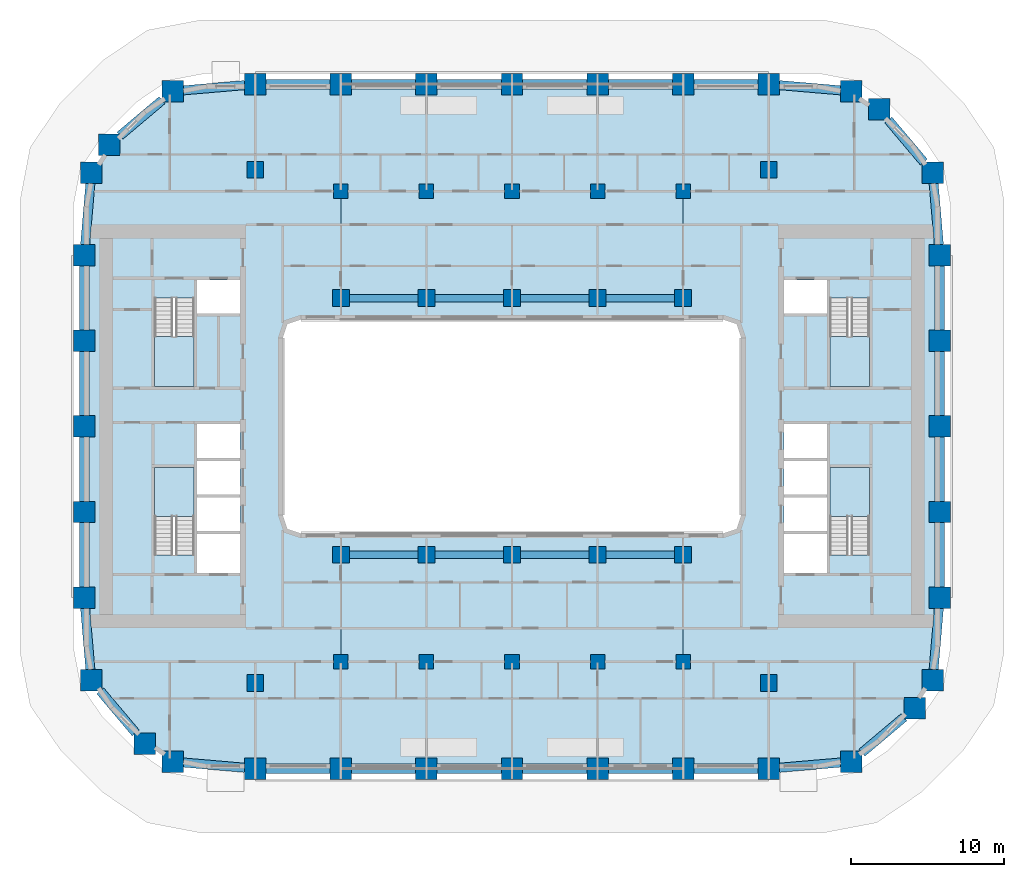
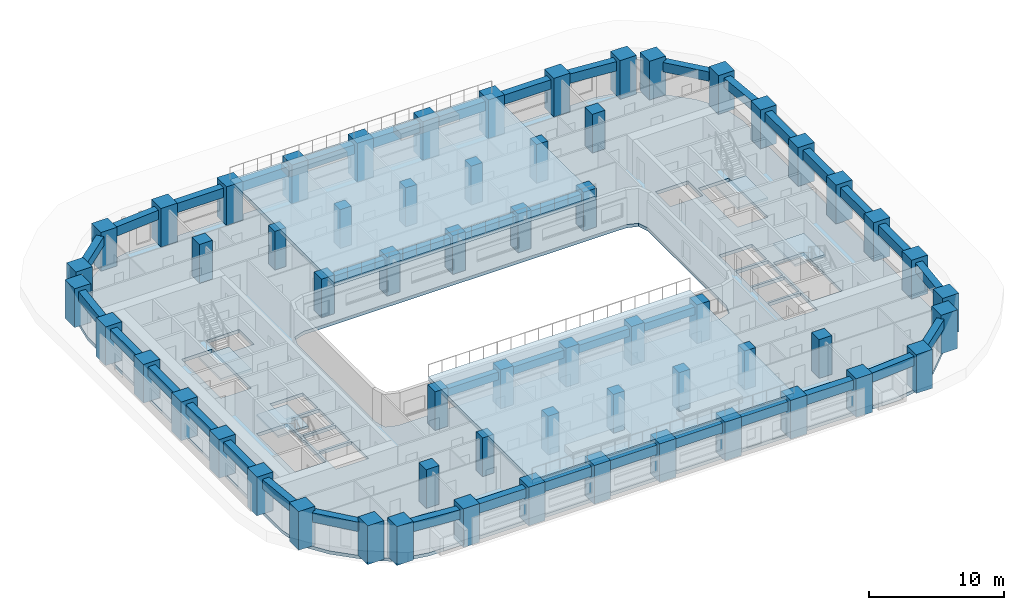
# One storey, part 1 of 18: 60 columns, 40 beams, 7 slabs, 4 elements without a shape of their own.
"""IFC4 building model written with IfcOpenShell, lengths in metres."""

import ifcopenshell
import ifcopenshell.guid

model = None  # the IFC model being written
_history = None  # IfcOwnerHistory: only IFC2X3 demands one
_inside = {}  # id of a spatial element -> (the spatial element, [elements in it])
_under = {}  # id of a project, library or spatial element -> (it, [spatial elements below it])
_declared = {}  # id of a project -> (the project, [libraries it declares])
_typed = {}  # id of a type object -> (the type object, [elements of that type])
_made_of = {}  # id of a material, layer set ... -> (it, [elements and type objects made of it])


def new_model(schema):
    """Start an empty IFC model of exactly this schema.

    Asked for "IFC4X3", IfcOpenShell would pick the latest addendum, in which some entities
    have other attributes; the version numbers below select the first issue.
    IFC2X3 requires an IfcOwnerHistory on every rooted entity: one is made here for all.
    """
    global model, _history
    if schema == "IFC4X3":
        model = ifcopenshell.file(schema_version=(4, 3, 0, 0))
    else:
        model = ifcopenshell.file(schema=schema)
    _inside.clear()
    _under.clear()
    _declared.clear()
    _typed.clear()
    _made_of.clear()
    _history = None
    if model.schema == "IFC2X3":
        org = make("IfcOrganization", Name="unknown")
        user = make(
            "IfcPersonAndOrganization",
            ThePerson=make("IfcPerson", FamilyName="unknown"),
            TheOrganization=org,
        )
        app = make(
            "IfcApplication",
            ApplicationDeveloper=org,
            Version="unknown",
            ApplicationFullName="unknown",
            ApplicationIdentifier="unknown",
        )
        _history = make(
            "IfcOwnerHistory",
            OwningUser=user,
            OwningApplication=app,
            ChangeAction="ADDED",
            CreationDate=0,
        )
    return model


def make(cls, **values):
    """One entity of the class cls with the attributes given. An attribute that is None is left unset."""
    return model.create_entity(
        cls, **{name: value for name, value in values.items() if value is not None}
    )


def rooted(cls, **values):
    """An entity with a GlobalId (a new one), such as an element, a storey or a relation."""
    return make(cls, GlobalId=ifcopenshell.guid.new(), OwnerHistory=_history, **values)


def si_unit(unit_type, name, prefix=None):
    """IfcSIUnit, for example si_unit("LENGTHUNIT", "METRE", prefix="MILLI")."""
    return make("IfcSIUnit", UnitType=unit_type, Prefix=prefix, Name=name)


def assignment(units):
    """IfcUnitAssignment: the units of a project."""
    return None if units is None else make("IfcUnitAssignment", Units=units)


def point(xyz):
    """IfcCartesianPoint."""
    return None if xyz is None else make("IfcCartesianPoint", Coordinates=xyz)


def direction(xyz):
    """IfcDirection."""
    return None if xyz is None else make("IfcDirection", DirectionRatios=xyz)


def frame(location, z_axis=None, x_axis=None):
    """IfcAxis2Placement3D, a coordinate frame: its origin and axes. An axis left out is left unset."""
    return make(
        "IfcAxis2Placement3D",
        Location=point(location),
        Axis=direction(z_axis),
        RefDirection=direction(x_axis),
    )


def frame_2d(location, x_axis=None):
    """IfcAxis2Placement2D, a coordinate frame in the plane: its origin and x axis."""
    return make(
        "IfcAxis2Placement2D", Location=point(location), RefDirection=direction(x_axis)
    )


def origin():
    """The frame at (0, 0, 0) with its axes left unset."""
    return frame((0.0, 0.0, 0.0))


def origin_2d():
    """The frame at (0, 0) in the plane with its x axis left unset."""
    return frame_2d((0.0, 0.0))


def place(relative_to, where):
    """IfcLocalPlacement: puts the frame where relative to a parent placement (None: the world)."""
    return make(
        "IfcLocalPlacement", PlacementRelTo=relative_to, RelativePlacement=where
    )


def context(
    kind, dimensions, precision=None, world=None, true_north=None, identifier=None
):
    """IfcGeometricRepresentationContext, for example the 3D "Model" context."""
    return make(
        "IfcGeometricRepresentationContext",
        ContextIdentifier=identifier,
        ContextType=kind,
        CoordinateSpaceDimension=dimensions,
        Precision=precision,
        WorldCoordinateSystem=world,
        TrueNorth=true_north,
    )


def subcontext(parent, identifier, kind, view, scale=None):
    """IfcGeometricRepresentationSubContext, for example "Body" below "Model"."""
    return make(
        "IfcGeometricRepresentationSubContext",
        ContextIdentifier=identifier,
        ContextType=kind,
        ParentContext=parent,
        TargetScale=scale,
        TargetView=view,
    )


def project(units=None, contexts=None):
    """IfcProject with its units and contexts."""
    return rooted(
        "IfcProject",
        Name="project",
        RepresentationContexts=contexts,
        UnitsInContext=assignment(units),
    )


def spatial(cls, under=None, at=None, **own):
    """A site, building, storey or space (cls), placed at a placement, below another one or the project."""
    s = rooted(cls, ObjectPlacement=at, **own)
    if under is not None:
        _under.setdefault(under.id(), (under, []))[1].append(s)
    return s


def polyline(points):
    """IfcPolyline through the points."""
    return make("IfcPolyline", Points=[point(p) for p in points])


def profile(cls, at=None, kind="AREA", **sizes):
    """A parametric profile (cls). Its sizes go by their IFC names, for example OverallWidth=200.0."""
    return make(cls, ProfileType=kind, Position=at, **sizes)


def rectangle(**sizes):
    """IfcRectangleProfileDef."""
    return profile("IfcRectangleProfileDef", **sizes)


def outline(outer, holes=None, kind="AREA"):
    """IfcArbitraryClosedProfileDef: a profile drawn as a closed curve; with holes, ...WithVoids."""
    if holes is None:
        return make("IfcArbitraryClosedProfileDef", ProfileType=kind, OuterCurve=outer)
    return make(
        "IfcArbitraryProfileDefWithVoids",
        ProfileType=kind,
        OuterCurve=outer,
        InnerCurves=holes,
    )


def extrude(swept, where, along, depth):
    """IfcExtrudedAreaSolid: the profile swept, set in the frame where, extruded along a direction by depth."""
    return make(
        "IfcExtrudedAreaSolid",
        SweptArea=swept,
        Position=where,
        ExtrudedDirection=direction(along),
        Depth=depth,
    )


def shape(context_of_items, identifier, shape_type, items):
    """IfcShapeRepresentation: the items that make up one representation, for example the "Body"."""
    return make(
        "IfcShapeRepresentation",
        ContextOfItems=context_of_items,
        RepresentationIdentifier=identifier,
        RepresentationType=shape_type,
        Items=items,
    )


def material(Name=None, Category=None):
    """IfcMaterial."""
    return make("IfcMaterial", Name=Name, Category=Category)


def layer(
    of_material, thickness, ventilated=None, Name=None, Category=None, Priority=None
):
    """IfcMaterialLayer: one layer of a wall or slab, of a material (None: an air gap)."""
    return make(
        "IfcMaterialLayer",
        Material=of_material,
        LayerThickness=thickness,
        IsVentilated=ventilated,
        Name=Name,
        Category=Category,
        Priority=Priority,
    )


def layer_set(layers, Name=None):
    """IfcMaterialLayerSet."""
    return make("IfcMaterialLayerSet", MaterialLayers=layers, LayerSetName=Name)


def material_profile(
    of_material, cross_section, Name=None, Category=None, Priority=None
):
    """IfcMaterialProfile: a cross section and its material."""
    return make(
        "IfcMaterialProfile",
        Name=Name,
        Material=of_material,
        Profile=cross_section,
        Priority=Priority,
        Category=Category,
    )


def profile_set(profiles, Name=None, composite=None):
    """IfcMaterialProfileSet."""
    return make(
        "IfcMaterialProfileSet",
        Name=Name,
        MaterialProfiles=profiles,
        CompositeProfile=composite,
    )


def made_of(thing, what):
    """Note that an element or type object is made of a material, layer set ...; save() writes the relation."""
    if what is not None:
        _made_of.setdefault(what.id(), (what, []))[1].append(thing)
    return thing


def type_object(cls, material=None, **own):
    """A type object (cls), such as IfcWallType, which elements share."""
    return made_of(rooted(cls, **own), material)


def element(
    cls,
    number,
    at=None,
    inside=None,
    cuts=None,
    type_object=None,
    material=None,
    context=None,
    identifier="Body",
    shape_type=None,
    held_by="IfcProductDefinitionShape",
    body=None,
    shapes=None,
    **own,
):
    """One element of the class cls, such as IfcWall. Its Tag is "e" and its number.

    at: its placement. inside: the storey or other place that contains it. cuts: it is an
    opening in that element (IfcRelVoidsElement). A single representation is given by context,
    identifier, shape_type and body (its items); several are given by shapes. held_by: the class
    of the entity that holds the representations. save() writes the other relations.
    """
    e = rooted(cls, Tag="e%d" % number, ObjectPlacement=at, **own)
    if body is not None:
        shapes = [shape(context, identifier, shape_type, body)]
    if shapes is not None:
        e.Representation = make(held_by, Representations=shapes)
    if inside is not None:
        _inside.setdefault(inside.id(), (inside, []))[1].append(e)
    if cuts is not None:
        rooted(
            "IfcRelVoidsElement", RelatingBuildingElement=cuts, RelatedOpeningElement=e
        )
    if type_object is not None:
        _typed.setdefault(type_object.id(), (type_object, []))[1].append(e)
    return made_of(e, material)


def aggregate(whole, parts):
    """IfcRelAggregates: a whole, such as a stair, and the parts it consists of."""
    return rooted("IfcRelAggregates", RelatingObject=whole, RelatedObjects=parts)


def save(model, path):
    """Write the relations noted so far, then the file.

    IfcRelAggregates (storeys below a building ...), IfcRelContainedInSpatialStructure (elements
    in a storey), IfcRelDefinesByType, IfcRelAssociatesMaterial and IfcRelDeclares: one each for
    every whole, place, type object, material and project.
    """
    for whole, parts in _under.values():
        aggregate(whole, parts)
    for where, things in _inside.values():
        rooted(
            "IfcRelContainedInSpatialStructure",
            RelatedElements=things,
            RelatingStructure=where,
        )
    for kind, things in _typed.values():
        rooted("IfcRelDefinesByType", RelatedObjects=things, RelatingType=kind)
    for what, things in _made_of.values():
        rooted("IfcRelAssociatesMaterial", RelatedObjects=things, RelatingMaterial=what)
    for by, libraries in _declared.values():
        rooted("IfcRelDeclares", RelatingContext=by, RelatedDefinitions=libraries)
    model.write(path)


model = new_model("IFC4")

# Units and contexts
model_context = context("Model", 3, precision=1e-05, world=origin(), true_north=direction((0.0, 1.0)))
body_context = subcontext(model_context, "Body", "Model", "MODEL_VIEW")
ifc_project = project(units=[si_unit("LENGTHUNIT", "METRE"), si_unit("AREAUNIT", "SQUARE_METRE"), si_unit("VOLUMEUNIT", "CUBIC_METRE"), si_unit("PLANEANGLEUNIT", "RADIAN"), si_unit("MASSUNIT", "GRAM", prefix="KILO")], contexts=[model_context])

# Site, building, storey
site_placement = place(None, origin())
site = spatial("IfcSite", under=ifc_project, at=site_placement, CompositionType="ELEMENT")
building_placement = place(site_placement, origin())
building = spatial("IfcBuilding", under=site, at=building_placement, Name="Kiln Ring Residences", CompositionType="ELEMENT")
storey_placement = place(building_placement, frame((0.0, 0.0, 69.0)))
storey = spatial("IfcBuildingStorey", under=building, at=storey_placement, Name="L17", CompositionType="ELEMENT", Elevation=69.0)

# Columns
ifc_material_1 = material(Name="Concrete C80/95", Category="concrete")
ifc_material_profile_1 = material_profile(ifc_material_1, rectangle(XDim=0.949951171875, YDim=0.949951171875, at=origin_2d()), Name="RC950x950")
ifc_profile_set_1 = profile_set([ifc_material_profile_1], Name="Concrete C80/95")
column_type_1 = type_object("IfcColumnType", Name="Corridor column RC950x950 C80/95", PredefinedType="COLUMN", material=ifc_profile_set_1)
for number, where, z_axis, x_axis, name in (
    (1, (-11.199951171875, 15.39990234375, 0.0), (0.0, 0.0, 1.0), (1.0, 0.0, 0.0), "Corridor column L17 1"),
    (2, (-5.60009765625, 15.39990234375, 0.0), (0.0, 0.0, 1.0), (1.0, 0.0, 0.0), "Corridor column L17 2"),
    (3, (0.0, 15.39990234375, 0.0), (0.0, 0.0, 1.0), (1.0, 0.0, 0.0), "Corridor column L17 3"),
    (4, (5.60009765625, 15.39990234375, 0.0), (0.0, 0.0, 1.0), (1.0, 0.0, 0.0), "Corridor column L17 4"),
    (5, (11.199951171875, 15.39990234375, 0.0), (0.0, 0.0, 1.0), (1.0, 0.0, 0.0), "Corridor column L17 5"),
    (6, (-11.199951171875, -15.39990234375, 0.0), (0.0, 0.0, 1.0), (1.0, 0.0, 0.0), "Corridor column L17 6"),
    (7, (-5.60009765625, -15.39990234375, 0.0), (0.0, 0.0, 1.0), (1.0, 0.0, 0.0), "Corridor column L17 7"),
    (8, (0.0, -15.39990234375, 0.0), (0.0, 0.0, 1.0), (1.0, 0.0, 0.0), "Corridor column L17 8"),
    (9, (5.60009765625, -15.39990234375, 0.0), (0.0, 0.0, 1.0), (1.0, 0.0, 0.0), "Corridor column L17 9"),
    (10, (11.199951171875, -15.39990234375, 0.0), (0.0, 0.0, 1.0), (1.0, 0.0, 0.0), "Corridor column L17 10"),
):
    element("IfcColumn", number, at=place(storey_placement, frame(where, z_axis=z_axis, x_axis=x_axis)), inside=storey, type_object=column_type_1, Name=name, PredefinedType="COLUMN", context=body_context, shape_type="SweptSolid", body=[
        extrude(rectangle(XDim=0.949951171875, YDim=0.949951171875, at=origin_2d()), origin(), (0.0, 0.0, 1.0), 3.5),
    ])
ifc_material_2 = material(Name="Concrete C80/95", Category="concrete")
ifc_material_profile_2 = material_profile(ifc_material_2, rectangle(XDim=1.39990234375, YDim=1.39990234375, at=origin_2d()), Name="RC1400x1400")
ifc_profile_set_2 = profile_set([ifc_material_profile_2], Name="Concrete C80/95")
column_type_2 = type_object("IfcColumnType", Name="Perimeter column RC1400x1400 C80/95", PredefinedType="COLUMN", material=ifc_profile_set_2)
for number, where, z_axis, x_axis, name in (
    (11, (-22.208740234375, -21.93798828125, 0.0), (0.0, 0.0, 1.0), (1.0, 0.0, 0.0), "Perimeter column L17 1"),
    (12, (-16.800048828125, -22.39990234375, 0.0), (0.0, 0.0, 1.0), (1.0, 0.0, 0.0), "Perimeter column L17 2"),
    (13, (-11.199951171875, -22.39990234375, 0.0), (0.0, 0.0, 1.0), (1.0, 0.0, 0.0), "Perimeter column L17 3"),
    (14, (-5.60009765625, -22.39990234375, 0.0), (0.0, 0.0, 1.0), (1.0, 0.0, 0.0), "Perimeter column L17 4"),
    (15, (0.0, -22.39990234375, 0.0), (0.0, 0.0, 1.0), (1.0, 0.0, 0.0), "Perimeter column L17 5"),
    (16, (5.60009765625, -22.39990234375, 0.0), (0.0, 0.0, 1.0), (1.0, 0.0, 0.0), "Perimeter column L17 6"),
    (17, (11.199951171875, -22.39990234375, 0.0), (0.0, 0.0, 1.0), (1.0, 0.0, 0.0), "Perimeter column L17 7"),
    (18, (16.800048828125, -22.39990234375, 0.0), (0.0, 0.0, 1.0), (1.0, 0.0, 0.0), "Perimeter column L17 8"),
    (19, (22.208740234375, -21.93798828125, 0.0), (0.0, 0.0, 1.0), (1.0, 0.0, 0.0), "Perimeter column L17 9"),
    (20, (26.35986328125, -18.440185546875, 0.0), (0.0, 0.0, 1.0), (1.0, 0.0, 0.0), "Perimeter column L17 10"),
    (21, (27.5380859375, -16.608642578125, 0.0), (0.0, 0.0, 1.0), (1.0, 0.0, 0.0), "Perimeter column L17 11"),
    (22, (28.0, -11.199951171875, 0.0), (0.0, 0.0, 1.0), (1.0, 0.0, 0.0), "Perimeter column L17 12"),
    (23, (28.0, -5.60009765625, 0.0), (0.0, 0.0, 1.0), (1.0, 0.0, 0.0), "Perimeter column L17 13"),
    (24, (28.0, 0.0, 0.0), (0.0, 0.0, 1.0), (1.0, 0.0, 0.0), "Perimeter column L17 14"),
    (25, (28.0, 5.60009765625, 0.0), (0.0, 0.0, 1.0), (1.0, 0.0, 0.0), "Perimeter column L17 15"),
    (26, (28.0, 11.199951171875, 0.0), (0.0, 0.0, 1.0), (1.0, 0.0, 0.0), "Perimeter column L17 16"),
    (27, (27.5380859375, 16.608642578125, 0.0), (0.0, 0.0, 1.0), (1.0, 0.0, 0.0), "Perimeter column L17 17"),
    (28, (24.040283203125, 20.759765625, 0.0), (0.0, 0.0, 1.0), (1.0, 0.0, 0.0), "Perimeter column L17 18"),
    (29, (22.208740234375, 21.93798828125, 0.0), (0.0, 0.0, 1.0), (1.0, 0.0, 0.0), "Perimeter column L17 19"),
    (30, (16.800048828125, 22.39990234375, 0.0), (0.0, 0.0, 1.0), (1.0, 0.0, 0.0), "Perimeter column L17 20"),
    (31, (11.199951171875, 22.39990234375, 0.0), (0.0, 0.0, 1.0), (1.0, 0.0, 0.0), "Perimeter column L17 21"),
    (32, (5.60009765625, 22.39990234375, 0.0), (0.0, 0.0, 1.0), (1.0, 0.0, 0.0), "Perimeter column L17 22"),
    (33, (0.0, 22.39990234375, 0.0), (0.0, 0.0, 1.0), (1.0, 0.0, 0.0), "Perimeter column L17 23"),
    (34, (-5.60009765625, 22.39990234375, 0.0), (0.0, 0.0, 1.0), (1.0, 0.0, 0.0), "Perimeter column L17 24"),
    (35, (-11.199951171875, 22.39990234375, 0.0), (0.0, 0.0, 1.0), (1.0, 0.0, 0.0), "Perimeter column L17 25"),
    (36, (-16.800048828125, 22.39990234375, 0.0), (0.0, 0.0, 1.0), (1.0, 0.0, 0.0), "Perimeter column L17 26"),
    (37, (-22.208740234375, 21.93798828125, 0.0), (0.0, 0.0, 1.0), (1.0, 0.0, 0.0), "Perimeter column L17 27"),
    (38, (-26.35986328125, 18.440185546875, 0.0), (0.0, 0.0, 1.0), (1.0, 0.0, 0.0), "Perimeter column L17 28"),
    (39, (-27.5380859375, 16.608642578125, 0.0), (0.0, 0.0, 1.0), (1.0, 0.0, 0.0), "Perimeter column L17 29"),
    (40, (-28.0, 11.199951171875, 0.0), (0.0, 0.0, 1.0), (1.0, 0.0, 0.0), "Perimeter column L17 30"),
    (41, (-28.0, 5.60009765625, 0.0), (0.0, 0.0, 1.0), (1.0, 0.0, 0.0), "Perimeter column L17 31"),
    (42, (-28.0, 0.0, 0.0), (0.0, 0.0, 1.0), (1.0, 0.0, 0.0), "Perimeter column L17 32"),
    (43, (-28.0, -5.60009765625, 0.0), (0.0, 0.0, 1.0), (1.0, 0.0, 0.0), "Perimeter column L17 33"),
    (44, (-28.0, -11.199951171875, 0.0), (0.0, 0.0, 1.0), (1.0, 0.0, 0.0), "Perimeter column L17 34"),
    (45, (-27.5380859375, -16.608642578125, 0.0), (0.0, 0.0, 1.0), (1.0, 0.0, 0.0), "Perimeter column L17 35"),
    (46, (-24.040283203125, -20.759765625, 0.0), (0.0, 0.0, 1.0), (1.0, 0.0, 0.0), "Perimeter column L17 36"),
):
    element("IfcColumn", number, at=place(storey_placement, frame(where, z_axis=z_axis, x_axis=x_axis)), inside=storey, type_object=column_type_2, Name=name, PredefinedType="COLUMN", context=body_context, shape_type="SweptSolid", body=[
        extrude(rectangle(XDim=1.39990234375, YDim=1.39990234375, at=origin_2d()), origin(), (0.0, 0.0, 1.0), 3.5),
    ])
ifc_material_3 = material(Name="Concrete C80/95", Category="concrete")
ifc_material_profile_3 = material_profile(ifc_material_3, rectangle(XDim=1.10009765625, YDim=1.10009765625, at=origin_2d()), Name="RC1100x1100")
ifc_profile_set_3 = profile_set([ifc_material_profile_3], Name="Concrete C80/95")
column_type_3 = type_object("IfcColumnType", Name="Ring column RC1100x1100 C80/95", PredefinedType="COLUMN", material=ifc_profile_set_3)
for number, where, z_axis, x_axis, name in (
    (47, (-16.800048828125, -16.800048828125, 0.0), (0.0, 0.0, 1.0), (1.0, 0.0, 0.0), "Ring column L17 1"),
    (48, (-16.800048828125, 16.800048828125, 0.0), (0.0, 0.0, 1.0), (1.0, 0.0, 0.0), "Ring column L17 2"),
    (49, (-11.199951171875, -8.39990234375, 0.0), (0.0, 0.0, 1.0), (1.0, 0.0, 0.0), "Ring column L17 3"),
    (50, (-11.199951171875, 8.39990234375, 0.0), (0.0, 0.0, 1.0), (1.0, 0.0, 0.0), "Ring column L17 4"),
    (51, (-5.60009765625, -8.39990234375, 0.0), (0.0, 0.0, 1.0), (1.0, 0.0, 0.0), "Ring column L17 5"),
    (52, (-5.60009765625, 8.39990234375, 0.0), (0.0, 0.0, 1.0), (1.0, 0.0, 0.0), "Ring column L17 6"),
    (53, (0.0, -8.39990234375, 0.0), (0.0, 0.0, 1.0), (1.0, 0.0, 0.0), "Ring column L17 7"),
    (54, (0.0, 8.39990234375, 0.0), (0.0, 0.0, 1.0), (1.0, 0.0, 0.0), "Ring column L17 8"),
    (55, (5.60009765625, -8.39990234375, 0.0), (0.0, 0.0, 1.0), (1.0, 0.0, 0.0), "Ring column L17 9"),
    (56, (5.60009765625, 8.39990234375, 0.0), (0.0, 0.0, 1.0), (1.0, 0.0, 0.0), "Ring column L17 10"),
    (57, (11.199951171875, -8.39990234375, 0.0), (0.0, 0.0, 1.0), (1.0, 0.0, 0.0), "Ring column L17 11"),
    (58, (11.199951171875, 8.39990234375, 0.0), (0.0, 0.0, 1.0), (1.0, 0.0, 0.0), "Ring column L17 12"),
    (59, (16.800048828125, -16.800048828125, 0.0), (0.0, 0.0, 1.0), (1.0, 0.0, 0.0), "Ring column L17 13"),
    (60, (16.800048828125, 16.800048828125, 0.0), (0.0, 0.0, 1.0), (1.0, 0.0, 0.0), "Ring column L17 14"),
):
    element("IfcColumn", number, at=place(storey_placement, frame(where, z_axis=z_axis, x_axis=x_axis)), inside=storey, type_object=column_type_3, Name=name, PredefinedType="COLUMN", context=body_context, shape_type="SweptSolid", body=[
        extrude(rectangle(XDim=1.10009765625, YDim=1.10009765625, at=origin_2d()), origin(), (0.0, 0.0, 1.0), 3.5),
    ])

# Beams
ifc_material_4 = material(Name="Concrete C50/60", Category="concrete")
ifc_material_profile_4 = material_profile(ifc_material_4, rectangle(XDim=0.5, YDim=0.699951171875, at=origin_2d()), Name="RC500x700")
ifc_profile_set_4 = profile_set([ifc_material_profile_4], Name="Concrete C50/60")
beam_type_1 = type_object("IfcBeamType", Name="Ring beam RC500x700 C50/60", PredefinedType="BEAM", material=ifc_profile_set_4)
for number, where, z_axis, x_axis, name in (
    (61, (-10.64990234375, -8.39990234375, 2.800048828125), (1.0, 0.0, 0.0), (0.0, 1.0, 0.0), "Ring beam L17 1"),
    (62, (-5.050048828125, -8.39990234375, 2.800048828125), (1.0, 0.0, 0.0), (0.0, 1.0, 0.0), "Ring beam L17 2"),
    (63, (0.550048828125, -8.39990234375, 2.800048828125), (1.0, 0.0, 0.0), (0.0, 1.0, 0.0), "Ring beam L17 3"),
    (64, (6.14990234375, -8.39990234375, 2.800048828125), (1.0, 0.0, 0.0), (0.0, 1.0, 0.0), "Ring beam L17 4"),
    (65, (-10.64990234375, 8.39990234375, 2.800048828125), (1.0, 0.0, 0.0), (0.0, 1.0, 0.0), "Ring beam L17 5"),
    (66, (-5.050048828125, 8.39990234375, 2.800048828125), (1.0, 0.0, 0.0), (0.0, 1.0, 0.0), "Ring beam L17 6"),
    (67, (0.550048828125, 8.39990234375, 2.800048828125), (1.0, 0.0, 0.0), (0.0, 1.0, 0.0), "Ring beam L17 7"),
    (68, (6.14990234375, 8.39990234375, 2.800048828125), (1.0, 0.0, 0.0), (0.0, 1.0, 0.0), "Ring beam L17 8"),
):
    element("IfcBeam", number, at=place(storey_placement, frame(where, z_axis=z_axis, x_axis=x_axis)), inside=storey, type_object=beam_type_1, Name=name, PredefinedType="BEAM", context=body_context, shape_type="SweptSolid", body=[
        extrude(rectangle(XDim=0.5, YDim=0.699951171875, at=origin_2d()), origin(), (0.0, 0.0, 1.0), 4.5),
    ])
ifc_material_5 = material(Name="Concrete C50/60", Category="concrete")
ifc_material_profile_5 = material_profile(ifc_material_5, rectangle(XDim=0.60009765625, YDim=0.85009765625, at=origin_2d()), Name="RC600x850")
ifc_profile_set_5 = profile_set([ifc_material_profile_5], Name="Concrete C50/60")
beam_type_2 = type_object("IfcBeamType", Name="Spandrel beam RC600x850 C50/60", PredefinedType="SPANDREL", material=ifc_profile_set_5)
beam_1_placement = place(storey_placement, frame((-21.5087890625, -21.997802734375, 2.72509765625), z_axis=(0.996369479058, -0.085134371444, 0.0), x_axis=(0.085134371444, 0.996369479058, 0.0)))
element("IfcBeam", 69, at=beam_1_placement, inside=storey, type_object=beam_type_2, Name="Spandrel beam L17 1", PredefinedType="SPANDREL", context=body_context, shape_type="SweptSolid", body=[
    extrude(rectangle(XDim=0.60009765625, YDim=0.85009765625, at=origin_2d()), origin(), (0.0, 0.0, 1.0), 4.0234375),
])
beam_2_placement = place(storey_placement, frame((-16.10009765625, -22.39990234375, 2.72509765625), z_axis=(1.0, 0.0, 0.0), x_axis=(0.0, 1.0, 0.0)))
element("IfcBeam", 70, at=beam_2_placement, inside=storey, type_object=beam_type_2, Name="Spandrel beam L17 2", PredefinedType="SPANDREL", context=body_context, shape_type="SweptSolid", body=[
    extrude(rectangle(XDim=0.60009765625, YDim=0.85009765625, at=origin_2d()), origin(), (0.0, 0.0, 1.0), 4.2001953125),
])
for number, where, z_axis, x_axis, name in (
    (71, (-10.5, -22.39990234375, 2.72509765625), (1.0, 0.0, 0.0), (0.0, 1.0, 0.0), "Spandrel beam L17 3"),
    (72, (-4.89990234375, -22.39990234375, 2.72509765625), (1.0, 0.0, 0.0), (0.0, 1.0, 0.0), "Spandrel beam L17 4"),
    (73, (0.699951171875, -22.39990234375, 2.72509765625), (1.0, 0.0, 0.0), (0.0, 1.0, 0.0), "Spandrel beam L17 5"),
    (74, (6.300048828125, -22.39990234375, 2.72509765625), (1.0, 0.0, 0.0), (0.0, 1.0, 0.0), "Spandrel beam L17 6"),
):
    element("IfcBeam", number, at=place(storey_placement, frame(where, z_axis=z_axis, x_axis=x_axis)), inside=storey, type_object=beam_type_2, Name=name, PredefinedType="SPANDREL", context=body_context, shape_type="SweptSolid", body=[
        extrude(rectangle(XDim=0.60009765625, YDim=0.85009765625, at=origin_2d()), origin(), (0.0, 0.0, 1.0), 4.199951171875),
    ])
beam_3_placement = place(storey_placement, frame((11.89990234375, -22.39990234375, 2.72509765625), z_axis=(1.0, 0.0, 0.0), x_axis=(0.0, 1.0, 0.0)))
element("IfcBeam", 75, at=beam_3_placement, inside=storey, type_object=beam_type_2, Name="Spandrel beam L17 7", PredefinedType="SPANDREL", context=body_context, shape_type="SweptSolid", body=[
    extrude(rectangle(XDim=0.60009765625, YDim=0.85009765625, at=origin_2d()), origin(), (0.0, 0.0, 1.0), 4.2001953125),
])
beam_4_placement = place(storey_placement, frame((17.5, -22.34033203125, 2.72509765625), z_axis=(0.996369479058, 0.085134371444, 0.0), x_axis=(-0.085134371444, 0.996369479058, 0.0)))
element("IfcBeam", 76, at=beam_4_placement, inside=storey, type_object=beam_type_2, Name="Spandrel beam L17 8", PredefinedType="SPANDREL", context=body_context, shape_type="SweptSolid", body=[
    extrude(rectangle(XDim=0.60009765625, YDim=0.85009765625, at=origin_2d()), origin(), (0.0, 0.0, 1.0), 4.0234375),
])
beam_5_placement = place(storey_placement, frame((22.90869140625, -21.34814453125, 2.72509765625), z_axis=(0.764733430751, 0.644346785428, 0.0), x_axis=(-0.644346785428, 0.764733430751, 0.0)))
element("IfcBeam", 77, at=beam_5_placement, inside=storey, type_object=beam_type_2, Name="Spandrel beam L17 9", PredefinedType="SPANDREL", context=body_context, shape_type="SweptSolid", body=[
    extrude(rectangle(XDim=0.60009765625, YDim=0.85009765625, at=origin_2d()), origin(), (0.0, 0.0, 1.0), 3.59765625),
])
beam_6_placement = place(storey_placement, frame((27.597900390625, -15.90869140625, 2.72509765625), z_axis=(0.085074130543, 0.996374624482, 0.0), x_axis=(-0.996374624482, 0.085074130543, 0.0)))
element("IfcBeam", 78, at=beam_6_placement, inside=storey, type_object=beam_type_2, Name="Spandrel beam L17 10", PredefinedType="SPANDREL", context=body_context, shape_type="SweptSolid", body=[
    extrude(rectangle(XDim=0.60009765625, YDim=0.85009765625, at=origin_2d()), origin(), (0.0, 0.0, 1.0), 4.0234375),
])
for number, where, z_axis, x_axis, name in (
    (79, (28.0, -10.5, 2.72509765625), (0.0, 1.0, 0.0), (-1.0, 0.0, 0.0), "Spandrel beam L17 11"),
    (80, (28.0, -4.89990234375, 2.72509765625), (0.0, 1.0, 0.0), (-1.0, 0.0, 0.0), "Spandrel beam L17 12"),
    (81, (28.0, 0.699951171875, 2.72509765625), (0.0, 1.0, 0.0), (-1.0, 0.0, 0.0), "Spandrel beam L17 13"),
    (82, (28.0, 6.300048828125, 2.72509765625), (0.0, 1.0, 0.0), (-1.0, 0.0, 0.0), "Spandrel beam L17 14"),
):
    element("IfcBeam", number, at=place(storey_placement, frame(where, z_axis=z_axis, x_axis=x_axis)), inside=storey, type_object=beam_type_2, Name=name, PredefinedType="SPANDREL", context=body_context, shape_type="SweptSolid", body=[
        extrude(rectangle(XDim=0.60009765625, YDim=0.85009765625, at=origin_2d()), origin(), (0.0, 0.0, 1.0), 4.199951171875),
    ])
beam_7_placement = place(storey_placement, frame((27.940185546875, 11.89990234375, 2.72509765625), z_axis=(-0.085074130543, 0.996374624482, 0.0), x_axis=(-0.996374624482, -0.085074130543, 0.0)))
element("IfcBeam", 83, at=beam_7_placement, inside=storey, type_object=beam_type_2, Name="Spandrel beam L17 15", PredefinedType="SPANDREL", context=body_context, shape_type="SweptSolid", body=[
    extrude(rectangle(XDim=0.60009765625, YDim=0.85009765625, at=origin_2d()), origin(), (0.0, 0.0, 1.0), 4.0234375),
])
beam_8_placement = place(storey_placement, frame((26.9482421875, 17.30859375, 2.72509765625), z_axis=(-0.644346785428, 0.764733430751, 0.0), x_axis=(-0.764733430751, -0.644346785428, 0.0)))
element("IfcBeam", 84, at=beam_8_placement, inside=storey, type_object=beam_type_2, Name="Spandrel beam L17 16", PredefinedType="SPANDREL", context=body_context, shape_type="SweptSolid", body=[
    extrude(rectangle(XDim=0.60009765625, YDim=0.85009765625, at=origin_2d()), origin(), (0.0, 0.0, 1.0), 3.59765625),
])
beam_9_placement = place(storey_placement, frame((21.5087890625, 21.997802734375, 2.72509765625), z_axis=(-0.996369479058, 0.085134371444, 0.0), x_axis=(-0.085134371444, -0.996369479058, 0.0)))
element("IfcBeam", 85, at=beam_9_placement, inside=storey, type_object=beam_type_2, Name="Spandrel beam L17 17", PredefinedType="SPANDREL", context=body_context, shape_type="SweptSolid", body=[
    extrude(rectangle(XDim=0.60009765625, YDim=0.85009765625, at=origin_2d()), origin(), (0.0, 0.0, 1.0), 4.0234375),
])
beam_10_placement = place(storey_placement, frame((16.10009765625, 22.39990234375, 2.72509765625), z_axis=(-1.0, 0.0, 0.0), x_axis=(0.0, -1.0, 0.0)))
element("IfcBeam", 86, at=beam_10_placement, inside=storey, type_object=beam_type_2, Name="Spandrel beam L17 18", PredefinedType="SPANDREL", context=body_context, shape_type="SweptSolid", body=[
    extrude(rectangle(XDim=0.60009765625, YDim=0.85009765625, at=origin_2d()), origin(), (0.0, 0.0, 1.0), 4.2001953125),
])
for number, where, z_axis, x_axis, name in (
    (87, (10.5, 22.39990234375, 2.72509765625), (-1.0, 0.0, 0.0), (0.0, -1.0, 0.0), "Spandrel beam L17 19"),
    (88, (4.89990234375, 22.39990234375, 2.72509765625), (-1.0, 0.0, 0.0), (0.0, -1.0, 0.0), "Spandrel beam L17 20"),
    (89, (-0.699951171875, 22.39990234375, 2.72509765625), (-1.0, 0.0, 0.0), (0.0, -1.0, 0.0), "Spandrel beam L17 21"),
    (90, (-6.300048828125, 22.39990234375, 2.72509765625), (-1.0, 0.0, 0.0), (0.0, -1.0, 0.0), "Spandrel beam L17 22"),
):
    element("IfcBeam", number, at=place(storey_placement, frame(where, z_axis=z_axis, x_axis=x_axis)), inside=storey, type_object=beam_type_2, Name=name, PredefinedType="SPANDREL", context=body_context, shape_type="SweptSolid", body=[
        extrude(rectangle(XDim=0.60009765625, YDim=0.85009765625, at=origin_2d()), origin(), (0.0, 0.0, 1.0), 4.199951171875),
    ])
beam_11_placement = place(storey_placement, frame((-11.89990234375, 22.39990234375, 2.72509765625), z_axis=(-1.0, 0.0, 0.0), x_axis=(0.0, -1.0, 0.0)))
element("IfcBeam", 91, at=beam_11_placement, inside=storey, type_object=beam_type_2, Name="Spandrel beam L17 23", PredefinedType="SPANDREL", context=body_context, shape_type="SweptSolid", body=[
    extrude(rectangle(XDim=0.60009765625, YDim=0.85009765625, at=origin_2d()), origin(), (0.0, 0.0, 1.0), 4.2001953125),
])
beam_12_placement = place(storey_placement, frame((-17.5, 22.34033203125, 2.72509765625), z_axis=(-0.996369479058, -0.085134371444, 0.0), x_axis=(0.085134371444, -0.996369479058, 0.0)))
element("IfcBeam", 92, at=beam_12_placement, inside=storey, type_object=beam_type_2, Name="Spandrel beam L17 24", PredefinedType="SPANDREL", context=body_context, shape_type="SweptSolid", body=[
    extrude(rectangle(XDim=0.60009765625, YDim=0.85009765625, at=origin_2d()), origin(), (0.0, 0.0, 1.0), 4.0234375),
])
beam_13_placement = place(storey_placement, frame((-22.90869140625, 21.34814453125, 2.72509765625), z_axis=(-0.764733430751, -0.644346785428, 0.0), x_axis=(0.644346785428, -0.764733430751, 0.0)))
element("IfcBeam", 93, at=beam_13_placement, inside=storey, type_object=beam_type_2, Name="Spandrel beam L17 25", PredefinedType="SPANDREL", context=body_context, shape_type="SweptSolid", body=[
    extrude(rectangle(XDim=0.60009765625, YDim=0.85009765625, at=origin_2d()), origin(), (0.0, 0.0, 1.0), 3.59765625),
])
beam_14_placement = place(storey_placement, frame((-27.597900390625, 15.90869140625, 2.72509765625), z_axis=(-0.085074130543, -0.996374624482, 0.0), x_axis=(0.996374624482, -0.085074130543, 0.0)))
element("IfcBeam", 94, at=beam_14_placement, inside=storey, type_object=beam_type_2, Name="Spandrel beam L17 26", PredefinedType="SPANDREL", context=body_context, shape_type="SweptSolid", body=[
    extrude(rectangle(XDim=0.60009765625, YDim=0.85009765625, at=origin_2d()), origin(), (0.0, 0.0, 1.0), 4.0234375),
])
for number, where, z_axis, x_axis, name in (
    (95, (-28.0, 10.5, 2.72509765625), (0.0, -1.0, 0.0), (1.0, 0.0, 0.0), "Spandrel beam L17 27"),
    (96, (-28.0, 4.89990234375, 2.72509765625), (0.0, -1.0, 0.0), (1.0, 0.0, 0.0), "Spandrel beam L17 28"),
    (97, (-28.0, -0.699951171875, 2.72509765625), (0.0, -1.0, 0.0), (1.0, 0.0, 0.0), "Spandrel beam L17 29"),
    (98, (-28.0, -6.300048828125, 2.72509765625), (0.0, -1.0, 0.0), (1.0, 0.0, 0.0), "Spandrel beam L17 30"),
):
    element("IfcBeam", number, at=place(storey_placement, frame(where, z_axis=z_axis, x_axis=x_axis)), inside=storey, type_object=beam_type_2, Name=name, PredefinedType="SPANDREL", context=body_context, shape_type="SweptSolid", body=[
        extrude(rectangle(XDim=0.60009765625, YDim=0.85009765625, at=origin_2d()), origin(), (0.0, 0.0, 1.0), 4.199951171875),
    ])
beam_15_placement = place(storey_placement, frame((-27.940185546875, -11.89990234375, 2.72509765625), z_axis=(0.085074130543, -0.996374624482, 0.0), x_axis=(0.996374624482, 0.085074130543, 0.0)))
element("IfcBeam", 99, at=beam_15_placement, inside=storey, type_object=beam_type_2, Name="Spandrel beam L17 31", PredefinedType="SPANDREL", context=body_context, shape_type="SweptSolid", body=[
    extrude(rectangle(XDim=0.60009765625, YDim=0.85009765625, at=origin_2d()), origin(), (0.0, 0.0, 1.0), 4.0234375),
])
beam_16_placement = place(storey_placement, frame((-26.9482421875, -17.30859375, 2.72509765625), z_axis=(0.644346785428, -0.764733430751, 0.0), x_axis=(0.764733430751, 0.644346785428, 0.0)))
element("IfcBeam", 100, at=beam_16_placement, inside=storey, type_object=beam_type_2, Name="Spandrel beam L17 32", PredefinedType="SPANDREL", context=body_context, shape_type="SweptSolid", body=[
    extrude(rectangle(XDim=0.60009765625, YDim=0.85009765625, at=origin_2d()), origin(), (0.0, 0.0, 1.0), 3.59765625),
])

# Stair, slab
ifc_material_6 = material(Name="Concrete C40/50", Category="concrete")
stair_type = type_object("IfcStairType", Name="CORE-STAIR", PredefinedType="HALF_TURN_STAIR", material=ifc_material_6)
placement_1 = place(storey_placement, origin())
stair_1 = element("IfcStair", 101, at=placement_1, inside=storey, type_object=stair_type, Name="L17 stair W-STN", PredefinedType="HALF_TURN_STAIR")
ifc_material_7 = material(Name="Concrete C40/50", Category="concrete")
ifc_layer_1 = layer(ifc_material_7, 0.199951171875)
ifc_layer_set_1 = layer_set([ifc_layer_1], Name="CORE-STAIR-LANDING")
slab_type_1 = type_object("IfcSlabType", Name="CORE-STAIR-LANDING", PredefinedType="LANDING", material=ifc_layer_set_1)
placement_2 = place(storey_placement, frame((0.0, 0.0, 1.550048828125)))
slab_1 = element("IfcSlab", 102, at=placement_2, type_object=slab_type_1, Name="W-STN landing 1", PredefinedType="LANDING", context=body_context, shape_type="SweptSolid", body=[
    extrude(outline(polyline([(-23.39990234375, 5.8798828125), (-23.39990234375, 2.60009765625), (-20.800048828125, 2.60009765625), (-20.800048828125, 5.8798828125), (-23.39990234375, 5.8798828125)])), origin(), (0.0, 0.0, 1.0), 0.199951171875),
])
aggregate(stair_1, [slab_1])

stair_2 = element("IfcStair", 103, at=placement_1, inside=storey, type_object=stair_type, Name="L17 stair W-STS", PredefinedType="HALF_TURN_STAIR")
slab_2 = element("IfcSlab", 104, at=placement_2, type_object=slab_type_1, Name="W-STS landing 1", PredefinedType="LANDING", context=body_context, shape_type="SweptSolid", body=[
    extrude(outline(polyline([(-20.800048828125, -5.8798828125), (-20.800048828125, -2.699951171875), (-23.39990234375, -2.699951171875), (-23.39990234375, -5.8798828125), (-20.800048828125, -5.8798828125)])), origin(), (0.0, 0.0, 1.0), 0.199951171875),
])
aggregate(stair_2, [slab_2])

stair_3 = element("IfcStair", 105, at=placement_1, inside=storey, type_object=stair_type, Name="L17 stair E-STN", PredefinedType="HALF_TURN_STAIR")
slab_3 = element("IfcSlab", 106, at=placement_2, type_object=slab_type_1, Name="E-STN landing 1", PredefinedType="LANDING", context=body_context, shape_type="SweptSolid", body=[
    extrude(outline(polyline([(20.800048828125, 5.8798828125), (20.800048828125, 2.60009765625), (23.39990234375, 2.60009765625), (23.39990234375, 5.8798828125), (20.800048828125, 5.8798828125)])), origin(), (0.0, 0.0, 1.0), 0.199951171875),
])
aggregate(stair_3, [slab_3])

stair_4 = element("IfcStair", 107, at=placement_1, inside=storey, type_object=stair_type, Name="L17 stair E-STS", PredefinedType="HALF_TURN_STAIR")
slab_4 = element("IfcSlab", 108, at=placement_2, type_object=slab_type_1, Name="E-STS landing 1", PredefinedType="LANDING", context=body_context, shape_type="SweptSolid", body=[
    extrude(outline(polyline([(23.39990234375, -5.8798828125), (23.39990234375, -2.699951171875), (20.800048828125, -2.699951171875), (20.800048828125, -5.8798828125), (23.39990234375, -5.8798828125)])), origin(), (0.0, 0.0, 1.0), 0.199951171875),
])
aggregate(stair_4, [slab_4])

# Slabs
ifc_material_8 = material(Name="Concrete C40/50", Category="concrete")
ifc_layer_2 = layer(ifc_material_8, 0.300048828125)
ifc_layer_set_2 = layer_set([ifc_layer_2], Name="Floor slab 300")
slab_type_2 = type_object("IfcSlabType", Name="Floor slab 300", PredefinedType="FLOOR", material=ifc_layer_set_2)
slab_5_placement = place(storey_placement, frame((0.0, 0.0, -0.300048828125)))
element("IfcSlab", 109, at=slab_5_placement, inside=storey, type_object=slab_type_2, Name="Floor slab L17 1", PredefinedType="FLOOR", context=body_context, shape_type="SweptSolid", body=[
    extrude(outline(polyline([(-26.302978515625, -18.4970703125), (-24.09716796875, -20.702880859375), (-22.224365234375, -21.975830078125), (-20.0, -22.39990234375), (20.0, -22.39990234375), (22.224365234375, -21.975830078125), (24.09716796875, -20.702880859375), (26.302978515625, -18.4970703125), (27.57568359375, -16.624267578125), (28.0, -14.39990234375), (28.0, 14.39990234375), (27.57568359375, 16.624267578125), (26.302978515625, 18.4970703125), (24.09716796875, 20.702880859375), (22.224365234375, 21.975830078125), (20.0, 22.39990234375), (-20.0, 22.39990234375), (-22.224365234375, 21.975830078125), (-24.09716796875, 20.702880859375), (-26.302978515625, 18.4970703125), (-27.57568359375, 16.624267578125), (-28.0, 14.39990234375), (-28.0, -14.39990234375), (-27.57568359375, -16.624267578125), (-26.302978515625, -18.4970703125)]), holes=[polyline([(-14.699951171875, -6.699951171875), (-15.0, -5.800048828125), (-15.0, 5.800048828125), (-14.699951171875, 6.699951171875), (-13.800048828125, 7.0), (13.800048828125, 7.0), (14.699951171875, 6.699951171875), (15.0, 5.800048828125), (15.0, -5.800048828125), (14.699951171875, -6.699951171875), (13.800048828125, -7.0), (-13.800048828125, -7.0), (-14.699951171875, -6.699951171875)]), polyline([(20.800048828125, -8.39794921875), (20.800048828125, -2.699951171875), (23.39990234375, -2.699951171875), (23.39990234375, -8.39794921875), (20.800048828125, -8.39794921875)]), polyline([(20.800048828125, 2.60009765625), (20.800048828125, 8.39794921875), (23.39990234375, 8.39794921875), (23.39990234375, 2.60009765625), (20.800048828125, 2.60009765625)]), polyline([(17.800048828125, -6.85009765625), (17.800048828125, -4.64990234375), (20.60009765625, -4.64990234375), (20.60009765625, -6.85009765625), (17.800048828125, -6.85009765625)]), polyline([(17.800048828125, -4.449951171875), (17.800048828125, -2.25), (20.60009765625, -2.25), (20.60009765625, -4.449951171875), (17.800048828125, -4.449951171875)]), polyline([(17.800048828125, -2.050048828125), (17.800048828125, 0.14990234375), (20.60009765625, 0.14990234375), (20.60009765625, -2.050048828125), (17.800048828125, -2.050048828125)]), polyline([(17.800048828125, 7.39990234375), (17.800048828125, 9.60009765625), (20.60009765625, 9.60009765625), (20.60009765625, 7.39990234375), (17.800048828125, 7.39990234375)]), polyline([(20.60009765625, -9.60009765625), (17.800048828125, -9.60009765625), (17.800048828125, -7.050048828125), (20.60009765625, -7.050048828125), (20.60009765625, -9.60009765625)]), polyline([(-17.800048828125, -7.050048828125), (-17.800048828125, -9.60009765625), (-20.60009765625, -9.60009765625), (-20.60009765625, -7.050048828125), (-17.800048828125, -7.050048828125)]), polyline([(-17.800048828125, -6.85009765625), (-20.60009765625, -6.85009765625), (-20.60009765625, -4.64990234375), (-17.800048828125, -4.64990234375), (-17.800048828125, -6.85009765625)]), polyline([(-17.800048828125, -4.449951171875), (-20.60009765625, -4.449951171875), (-20.60009765625, -2.25), (-17.800048828125, -2.25), (-17.800048828125, -4.449951171875)]), polyline([(-17.800048828125, -2.050048828125), (-20.60009765625, -2.050048828125), (-20.60009765625, 0.14990234375), (-17.800048828125, 0.14990234375), (-17.800048828125, -2.050048828125)]), polyline([(-17.800048828125, 7.39990234375), (-20.60009765625, 7.39990234375), (-20.60009765625, 9.60009765625), (-17.800048828125, 9.60009765625), (-17.800048828125, 7.39990234375)]), polyline([(-20.800048828125, -8.39794921875), (-23.39990234375, -8.39794921875), (-23.39990234375, -2.699951171875), (-20.800048828125, -2.699951171875), (-20.800048828125, -8.39794921875)]), polyline([(-20.800048828125, 2.60009765625), (-23.39990234375, 2.60009765625), (-23.39990234375, 8.39794921875), (-20.800048828125, 8.39794921875), (-20.800048828125, 2.60009765625)])]), origin(), (0.0, 0.0, 1.0), 0.300048828125),
])
ifc_material_9 = material(Name="Concrete C40/50", Category="concrete")
ifc_layer_3 = layer(ifc_material_9, 0.35009765625)
ifc_layer_set_3 = layer_set([ifc_layer_3], Name="Roof slab 350")
slab_type_3 = type_object("IfcSlabType", Name="Roof slab 350", PredefinedType="ROOF", material=ifc_layer_set_3)
placement_3 = place(storey_placement, frame((0.0, 0.0, 3.14990234375)))
element("IfcSlab", 110, at=placement_3, inside=storey, type_object=slab_type_3, Name="Roof slab L17 1", PredefinedType="ROOF", context=body_context, shape_type="SweptSolid", body=[
    extrude(outline(polyline([(11.199462890625, -22.39990234375), (11.199462890625, -7.0), (-11.199462890625, -7.0), (-11.199462890625, -22.39990234375), (11.199462890625, -22.39990234375)])), origin(), (0.0, 0.0, 1.0), 0.35009765625),
])
element("IfcSlab", 111, at=placement_3, inside=storey, type_object=slab_type_3, Name="Roof slab L17 2", PredefinedType="ROOF", context=body_context, shape_type="SweptSolid", body=[
    extrude(outline(polyline([(-11.199462890625, 22.39990234375), (-11.199462890625, 7.0), (11.199462890625, 7.0), (11.199462890625, 22.39990234375), (-11.199462890625, 22.39990234375)])), origin(), (0.0, 0.0, 1.0), 0.35009765625),
])

save(model, "model.ifc")
